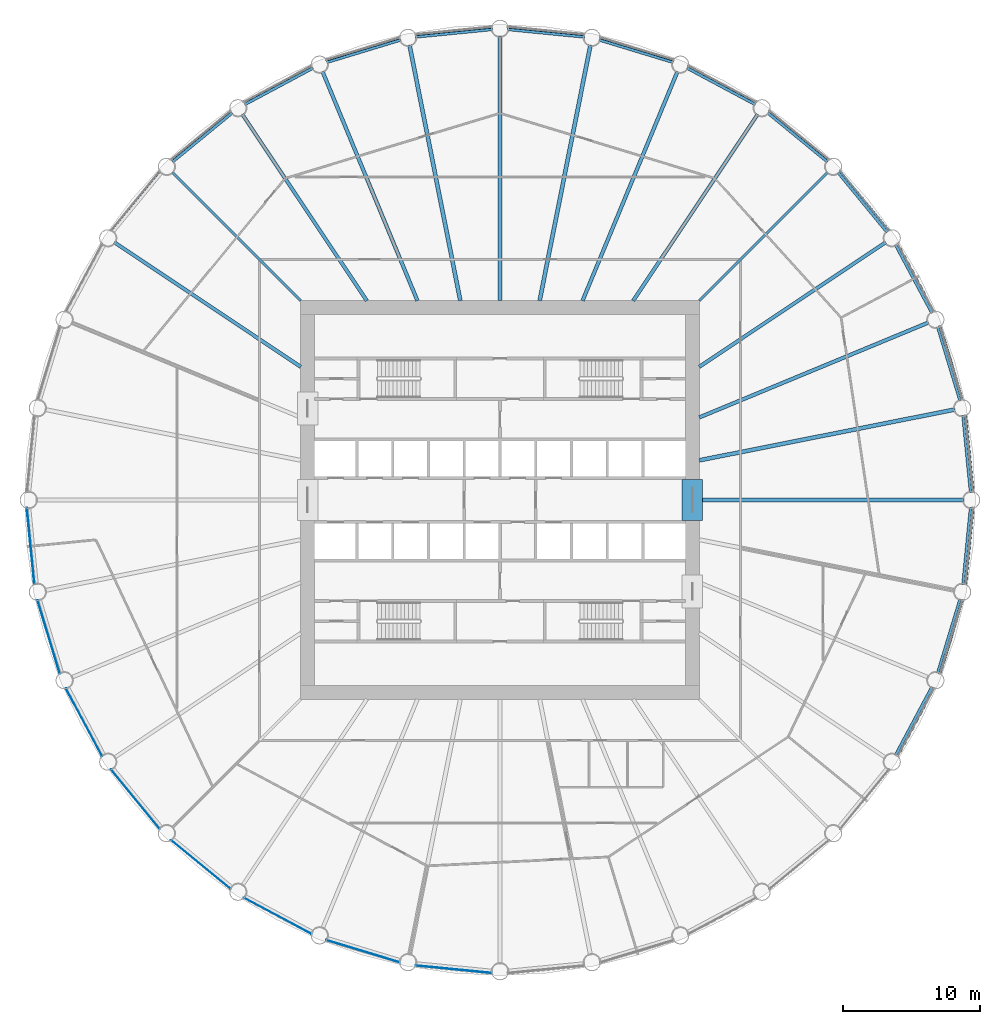
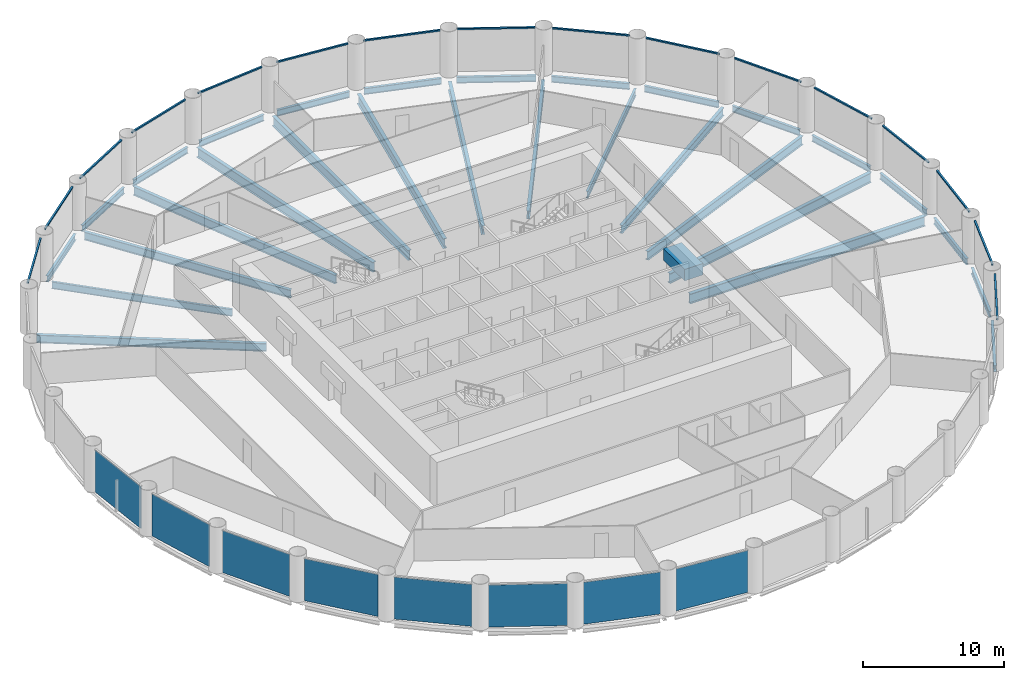
# One storey, part 2 of 8: 30 beams, 16 members, 8 plates, 24 elements without a shape of their own.
"""IFC4 building model written with IfcOpenShell, lengths in metres."""

from ifc_helpers import new_model, si_unit, direction, frame, origin, origin_2d, place, context, subcontext, project, spatial, rectangle, i_section, extrude, material, layer, layer_set, material_profile, profile_set, type_object, element, aggregate, save


model = new_model("IFC4")

# Units and contexts
model_context = context("Model", 3, precision=1e-05, world=origin(), true_north=direction((0.0, 1.0)))
body_context = subcontext(model_context, "Body", "Model", "MODEL_VIEW")
ifc_project = project(units=[si_unit("LENGTHUNIT", "METRE"), si_unit("AREAUNIT", "SQUARE_METRE"), si_unit("VOLUMEUNIT", "CUBIC_METRE"), si_unit("PLANEANGLEUNIT", "RADIAN"), si_unit("MASSUNIT", "GRAM", prefix="KILO")], contexts=[model_context])

# Site, building, storey
site_placement = place(None, origin())
site = spatial("IfcSite", under=ifc_project, at=site_placement, CompositionType="ELEMENT")
building_placement = place(site_placement, origin())
building = spatial("IfcBuilding", under=site, at=building_placement, Name="Corvane Civic Tower", CompositionType="ELEMENT")
storey_placement = place(building_placement, frame((0.0, 0.0, 94.5)))
storey = spatial("IfcBuildingStorey", under=building, at=storey_placement, Name="L21", CompositionType="ELEMENT", Elevation=94.5)

# Beams
ifc_material_1 = material(Name="Concrete C70/85", Category="concrete")
ifc_material_profile_1 = material_profile(ifc_material_1, rectangle(XDim=1.5, YDim=1.0, at=origin_2d()), Name="COUPLING BEAM 1500X1000")
ifc_profile_set_1 = profile_set([ifc_material_profile_1], Name="Concrete C70/85")
beam_type_1 = type_object("IfcBeamType", Name="COUPLING BEAM COUPLING BEAM 1500X1000", PredefinedType="BEAM", material=ifc_profile_set_1)
beam_1_placement = place(storey_placement, frame((14.0, -1.5, 2.60009765625), z_axis=(0.0, 1.0, 0.0), x_axis=(-1.0, 0.0, 0.0)))
element("IfcBeam", 1, at=beam_1_placement, inside=storey, type_object=beam_type_1, Name="BM-L21-cpl-CW-LE", PredefinedType="BEAM", context=body_context, shape_type="SweptSolid", body=[
    extrude(rectangle(XDim=1.5, YDim=1.0, at=origin_2d()), origin(), (0.0, 0.0, 1.0), 3.0),
])
ifc_material_2 = material(Name="Steel ASTM A992 Gr 50", Category="steel")
ifc_material_profile_2 = material_profile(ifc_material_2, i_section(OverallWidth=0.209228515625, OverallDepth=0.533447265625, WebThickness=0.01025390625, FlangeThickness=0.015625, at=origin_2d()), Name="W21X62")
ifc_profile_set_2 = profile_set([ifc_material_profile_2], Name="Steel ASTM A992 Gr 50")
beam_type_2 = type_object("IfcBeamType", Name="EDGE BEAM W21X62", PredefinedType="BEAM", material=ifc_profile_set_2)
beam_2_placement = place(storey_placement, frame((0.54736328125, 34.24609375, -0.566650390625), z_axis=(0.995184368522, -0.098020776625, 0.0), x_axis=(0.098020776625, 0.995184368522, 0.0)))
element("IfcBeam", 2, at=beam_2_placement, inside=storey, type_object=beam_type_2, Name="BM-L21-E01", PredefinedType="BEAM", context=body_context, shape_type="SweptSolid", body=[
    extrude(i_section(OverallWidth=0.209228515625, OverallDepth=0.533447265625, WebThickness=0.01025390625, FlangeThickness=0.015625, at=origin_2d()), origin(), (0.0, 0.0, 1.0), 5.6240234375),
])
beam_3_placement = place(storey_placement, frame((7.218017578125, 33.481201171875, -0.566650390625), z_axis=(0.956936367498, -0.290297758448, 0.0), x_axis=(0.290297758448, 0.956936367498, 0.0)))
element("IfcBeam", 3, at=beam_3_placement, inside=storey, type_object=beam_type_2, Name="BM-L21-E02", PredefinedType="BEAM", context=body_context, shape_type="SweptSolid", body=[
    extrude(i_section(OverallWidth=0.209228515625, OverallDepth=0.533447265625, WebThickness=0.01025390625, FlangeThickness=0.015625, at=origin_2d()), origin(), (0.0, 0.0, 1.0), 5.623779296875),
])
for number, where, z_axis, x_axis, name in (
    (4, (13.611083984375, 31.4296875, -0.566650390625), (0.88192357867, -0.471392407008, 0.0), (0.471392407008, 0.88192357867, 0.0), "BM-L21-E03"),
    (5, (19.481201171875, 28.17041015625, -0.566650390625), (0.773006775372, -0.634397765782, 0.0), (0.634397765782, 0.773006775372, 0.0), "BM-L21-E04"),
    (6, (24.6025390625, 23.82861328125, -0.566650390625), (0.634397765782, -0.773006775372, 0.0), (0.773006775372, 0.634397765782, 0.0), "BM-L21-E05"),
    (7, (28.778564453125, 18.571044921875, -0.566650390625), (0.471392407008, -0.88192357867, 0.0), (0.88192357867, 0.471392407008, 0.0), "BM-L21-E06"),
):
    element("IfcBeam", number, at=place(storey_placement, frame(where, z_axis=z_axis, x_axis=x_axis)), inside=storey, type_object=beam_type_2, Name=name, PredefinedType="BEAM", context=body_context, shape_type="SweptSolid", body=[
        extrude(i_section(OverallWidth=0.209228515625, OverallDepth=0.533447265625, WebThickness=0.01025390625, FlangeThickness=0.015625, at=origin_2d()), origin(), (0.0, 0.0, 1.0), 5.6240234375),
    ])
beam_4_placement = place(storey_placement, frame((31.8486328125, 12.599609375, -0.566650390625), z_axis=(0.290297758448, -0.956936367498, 0.0), x_axis=(0.956936367498, 0.290297758448, 0.0)))
element("IfcBeam", 8, at=beam_4_placement, inside=storey, type_object=beam_type_2, Name="BM-L21-E07", PredefinedType="BEAM", context=body_context, shape_type="SweptSolid", body=[
    extrude(i_section(OverallWidth=0.209228515625, OverallDepth=0.533447265625, WebThickness=0.01025390625, FlangeThickness=0.015625, at=origin_2d()), origin(), (0.0, 0.0, 1.0), 5.623779296875),
])
for number, where, z_axis, x_axis, name in (
    (9, (33.69482421875, 6.144287109375, -0.566650390625), (0.098020776625, -0.995184368522, 0.0), (0.995184368522, 0.098020776625, 0.0), "BM-L21-E08"),
    (10, (34.24609375, -0.54736328125, -0.566650390625), (-0.098020776625, -0.995184368522, 0.0), (0.995184368522, -0.098020776625, 0.0), "BM-L21-E09"),
):
    element("IfcBeam", number, at=place(storey_placement, frame(where, z_axis=z_axis, x_axis=x_axis)), inside=storey, type_object=beam_type_2, Name=name, PredefinedType="BEAM", context=body_context, shape_type="SweptSolid", body=[
        extrude(i_section(OverallWidth=0.209228515625, OverallDepth=0.533447265625, WebThickness=0.01025390625, FlangeThickness=0.015625, at=origin_2d()), origin(), (0.0, 0.0, 1.0), 5.6240234375),
    ])
beam_5_placement = place(storey_placement, frame((33.481201171875, -7.218017578125, -0.566650390625), z_axis=(-0.290297758448, -0.956936367498, 0.0), x_axis=(0.956936367498, -0.290297758448, 0.0)))
element("IfcBeam", 11, at=beam_5_placement, inside=storey, type_object=beam_type_2, Name="BM-L21-E10", PredefinedType="BEAM", context=body_context, shape_type="SweptSolid", body=[
    extrude(i_section(OverallWidth=0.209228515625, OverallDepth=0.533447265625, WebThickness=0.01025390625, FlangeThickness=0.015625, at=origin_2d()), origin(), (0.0, 0.0, 1.0), 5.623779296875),
])
for number, where, z_axis, x_axis, name in (
    (12, (31.4296875, -13.611083984375, -0.566650390625), (-0.471392407008, -0.88192357867, 0.0), (0.88192357867, -0.471392407008, 0.0), "BM-L21-E11"),
    (13, (-23.82861328125, 24.6025390625, -0.566650390625), (0.773006775372, 0.634397765782, 0.0), (-0.634397765782, 0.773006775372, 0.0), "BM-L21-E29"),
    (14, (-18.571044921875, 28.778564453125, -0.566650390625), (0.88192357867, 0.471392407008, 0.0), (-0.471392407008, 0.88192357867, 0.0), "BM-L21-E30"),
):
    element("IfcBeam", number, at=place(storey_placement, frame(where, z_axis=z_axis, x_axis=x_axis)), inside=storey, type_object=beam_type_2, Name=name, PredefinedType="BEAM", context=body_context, shape_type="SweptSolid", body=[
        extrude(i_section(OverallWidth=0.209228515625, OverallDepth=0.533447265625, WebThickness=0.01025390625, FlangeThickness=0.015625, at=origin_2d()), origin(), (0.0, 0.0, 1.0), 5.6240234375),
    ])
beam_6_placement = place(storey_placement, frame((-12.599609375, 31.8486328125, -0.566650390625), z_axis=(0.956936367498, 0.290297758448, 0.0), x_axis=(-0.290297758448, 0.956936367498, 0.0)))
element("IfcBeam", 15, at=beam_6_placement, inside=storey, type_object=beam_type_2, Name="BM-L21-E31", PredefinedType="BEAM", context=body_context, shape_type="SweptSolid", body=[
    extrude(i_section(OverallWidth=0.209228515625, OverallDepth=0.533447265625, WebThickness=0.01025390625, FlangeThickness=0.015625, at=origin_2d()), origin(), (0.0, 0.0, 1.0), 5.623779296875),
])
beam_7_placement = place(storey_placement, frame((-6.144287109375, 33.69482421875, -0.566650390625), z_axis=(0.995184368522, 0.098020776625, 0.0), x_axis=(-0.098020776625, 0.995184368522, 0.0)))
element("IfcBeam", 16, at=beam_7_placement, inside=storey, type_object=beam_type_2, Name="BM-L21-E32", PredefinedType="BEAM", context=body_context, shape_type="SweptSolid", body=[
    extrude(i_section(OverallWidth=0.209228515625, OverallDepth=0.533447265625, WebThickness=0.01025390625, FlangeThickness=0.015625, at=origin_2d()), origin(), (0.0, 0.0, 1.0), 5.6240234375),
])
ifc_material_3 = material(Name="Steel ASTM A992 Gr 50", Category="steel")
ifc_material_profile_3 = material_profile(ifc_material_3, i_section(OverallWidth=0.177978515625, OverallDepth=0.599365234375, WebThickness=0.010009765625, FlangeThickness=0.012939453125, at=origin_2d()), Name="W24X55")
ifc_profile_set_3 = profile_set([ifc_material_profile_3], Name="Steel ASTM A992 Gr 50")
beam_type_3 = type_object("IfcBeamType", Name="FLOOR GIRDER W24X55", PredefinedType="BEAM", material=ifc_profile_set_3)
for number, where, z_axis, x_axis, name in (
    (17, (14.5, 14.5, -0.599609375), (0.707106781187, 0.707106781187, 0.0), (-0.707106781187, 0.707106781187, 0.0), "BM-L21-G05"),
    (18, (-14.5, 14.5, -0.599609375), (-0.707106781187, 0.707106781187, 0.0), (-0.707106781187, -0.707106781187, 0.0), "BM-L21-G29"),
):
    element("IfcBeam", number, at=place(storey_placement, frame(where, z_axis=z_axis, x_axis=x_axis)), inside=storey, type_object=beam_type_3, Name=name, PredefinedType="BEAM", context=body_context, shape_type="SweptSolid", body=[
        extrude(i_section(OverallWidth=0.177978515625, OverallDepth=0.599365234375, WebThickness=0.010009765625, FlangeThickness=0.012939453125, at=origin_2d()), origin(), (0.0, 0.0, 1.0), 13.24365234375),
    ])
ifc_material_4 = material(Name="Steel ASTM A992 Gr 50", Category="steel")
ifc_material_profile_4 = material_profile(ifc_material_4, i_section(OverallWidth=0.256591796875, OverallDepth=0.693359375, WebThickness=0.014404296875, FlangeThickness=0.023681640625, at=origin_2d()), Name="W27X114")
ifc_profile_set_4 = profile_set([ifc_material_profile_4], Name="Steel ASTM A992 Gr 50")
beam_type_4 = type_object("IfcBeamType", Name="FLOOR GIRDER W27X114", PredefinedType="BEAM", material=ifc_profile_set_4)
for number, where, z_axis, x_axis, name in (
    (19, (9.6884765625, 14.5, -0.646728515625), (0.555577235054, 0.83146493365, 0.0), (-0.83146493365, 0.555577235054, 0.0), "BM-L21-G04"),
    (20, (14.5, 9.6884765625, -0.646728515625), (0.83146493365, 0.555577235054, 0.0), (-0.555577235054, 0.83146493365, 0.0), "BM-L21-G06"),
    (21, (-14.5, 9.6884765625, -0.646728515625), (-0.83146493365, 0.555577235054, 0.0), (-0.555577235054, -0.83146493365, 0.0), "BM-L21-G28"),
    (22, (-9.6884765625, 14.5, -0.646728515625), (-0.555577235054, 0.83146493365, 0.0), (-0.83146493365, -0.555577235054, 0.0), "BM-L21-G30"),
):
    element("IfcBeam", number, at=place(storey_placement, frame(where, z_axis=z_axis, x_axis=x_axis)), inside=storey, type_object=beam_type_4, Name=name, PredefinedType="BEAM", context=body_context, shape_type="SweptSolid", body=[
        extrude(i_section(OverallWidth=0.256591796875, OverallDepth=0.693359375, WebThickness=0.014404296875, FlangeThickness=0.023681640625, at=origin_2d()), origin(), (0.0, 0.0, 1.0), 16.31103515625),
    ])
ifc_material_5 = material(Name="Steel ASTM A992 Gr 50", Category="steel")
ifc_material_profile_5 = material_profile(ifc_material_5, i_section(OverallWidth=0.2666015625, OverallDepth=0.7568359375, WebThickness=0.013916015625, FlangeThickness=0.019287109375, at=origin_2d()), Name="W30X108")
ifc_profile_set_5 = profile_set([ifc_material_profile_5], Name="Steel ASTM A992 Gr 50")
beam_type_5 = type_object("IfcBeamType", Name="FLOOR GIRDER W30X108", PredefinedType="BEAM", material=ifc_profile_set_5)
for number, where, z_axis, x_axis, name in (
    (23, (6.006103515625, 14.5, -0.678466796875), (0.382681797504, 0.923880209691, 0.0), (-0.923880209691, 0.382681797504, 0.0), "BM-L21-G03"),
    (24, (14.5, 6.006103515625, -0.678466796875), (0.923880209691, 0.382681797504, 0.0), (-0.382681797504, 0.923880209691, 0.0), "BM-L21-G07"),
    (25, (-6.006103515625, 14.5, -0.678466796875), (-0.382681797504, 0.923880209691, 0.0), (-0.923880209691, -0.382681797504, 0.0), "BM-L21-G31"),
):
    element("IfcBeam", number, at=place(storey_placement, frame(where, z_axis=z_axis, x_axis=x_axis)), inside=storey, type_object=beam_type_5, Name=name, PredefinedType="BEAM", context=body_context, shape_type="SweptSolid", body=[
        extrude(i_section(OverallWidth=0.2666015625, OverallDepth=0.7568359375, WebThickness=0.013916015625, FlangeThickness=0.019287109375, at=origin_2d()), origin(), (0.0, 0.0, 1.0), 18.05517578125),
    ])
ifc_material_6 = material(Name="Steel ASTM A992 Gr 50", Category="steel")
ifc_material_profile_6 = material_profile(ifc_material_6, i_section(OverallWidth=0.2919921875, OverallDepth=0.8583984375, WebThickness=0.01708984375, FlangeThickness=0.031005859375, at=origin_2d()), Name="W33X169")
ifc_profile_set_6 = profile_set([ifc_material_profile_6], Name="Steel ASTM A992 Gr 50")
beam_type_6 = type_object("IfcBeamType", Name="FLOOR GIRDER W33X169", PredefinedType="BEAM", material=ifc_profile_set_6)
beam_8_placement = place(storey_placement, frame((0.0, 14.5, -0.729248046875), z_axis=(0.0, 1.0, 0.0), x_axis=(-1.0, 0.0, 0.0)))
element("IfcBeam", 26, at=beam_8_placement, inside=storey, type_object=beam_type_6, Name="BM-L21-G01", PredefinedType="BEAM", context=body_context, shape_type="SweptSolid", body=[
    extrude(i_section(OverallWidth=0.2919921875, OverallDepth=0.8583984375, WebThickness=0.01708984375, FlangeThickness=0.031005859375, at=origin_2d()), origin(), (0.0, 0.0, 1.0), 19.25),
])
for number, where, z_axis, x_axis, name in (
    (27, (2.88427734375, 14.5, -0.729248046875), (0.195083745652, 0.9807865885, 0.0), (-0.9807865885, 0.195083745652, 0.0), "BM-L21-G02"),
    (28, (14.5, 2.88427734375, -0.729248046875), (0.9807865885, 0.195083745652, 0.0), (-0.195083745652, 0.9807865885, 0.0), "BM-L21-G08"),
):
    element("IfcBeam", number, at=place(storey_placement, frame(where, z_axis=z_axis, x_axis=x_axis)), inside=storey, type_object=beam_type_6, Name=name, PredefinedType="BEAM", context=body_context, shape_type="SweptSolid", body=[
        extrude(i_section(OverallWidth=0.2919921875, OverallDepth=0.8583984375, WebThickness=0.01708984375, FlangeThickness=0.031005859375, at=origin_2d()), origin(), (0.0, 0.0, 1.0), 18.966064453125),
    ])
beam_9_placement = place(storey_placement, frame((14.5, 0.0, -0.729248046875), z_axis=(1.0, 0.0, 0.0), x_axis=(0.0, 1.0, 0.0)))
element("IfcBeam", 29, at=beam_9_placement, inside=storey, type_object=beam_type_6, Name="BM-L21-G09", PredefinedType="BEAM", context=body_context, shape_type="SweptSolid", body=[
    extrude(i_section(OverallWidth=0.2919921875, OverallDepth=0.8583984375, WebThickness=0.01708984375, FlangeThickness=0.031005859375, at=origin_2d()), origin(), (0.0, 0.0, 1.0), 19.25),
])
beam_10_placement = place(storey_placement, frame((-2.88427734375, 14.5, -0.729248046875), z_axis=(-0.195083745652, 0.9807865885, 0.0), x_axis=(-0.9807865885, -0.195083745652, 0.0)))
element("IfcBeam", 30, at=beam_10_placement, inside=storey, type_object=beam_type_6, Name="BM-L21-G32", PredefinedType="BEAM", context=body_context, shape_type="SweptSolid", body=[
    extrude(i_section(OverallWidth=0.2919921875, OverallDepth=0.8583984375, WebThickness=0.01708984375, FlangeThickness=0.031005859375, at=origin_2d()), origin(), (0.0, 0.0, 1.0), 18.966064453125),
])

# Curtain wall, member
ifc_material_7 = material(Name="Anodised aluminium bronze", Category="aluminium")
curtain_wall_type = type_object("IfcCurtainWallType", Name="TOWER CW-T1 STICK CURTAIN WALL", PredefinedType="NOTDEFINED", material=ifc_material_7)
curtain_wall_1_placement = place(storey_placement, origin())
curtain_wall_1 = element("IfcCurtainWall", 31, at=curtain_wall_1_placement, inside=storey, type_object=curtain_wall_type, Name="Curtain wall CW-T1 L21 bay 01", PredefinedType="NOTDEFINED")
ifc_material_8 = material(Name="Anodised aluminium bronze", Category="aluminium")
ifc_material_profile_7 = material_profile(ifc_material_8, rectangle(XDim=0.139892578125, YDim=0.1201171875, at=origin_2d()), Name="TOWER CW-T1 TRANSOM 140x120")
ifc_profile_set_7 = profile_set([ifc_material_profile_7], Name="Anodised aluminium bronze")
member_type = type_object("IfcMemberType", Name="TOWER CW-T1 TRANSOM 140x120", PredefinedType="USERDEFINED", material=ifc_profile_set_7)
member_1_placement = place(storey_placement, frame((0.58349609375, 34.422607421875, 3.68994140625), z_axis=(0.995179807033, -0.098067077419, 0.0), x_axis=(0.098067077419, 0.995179807033, 0.0)))
member_1 = element("IfcMember", 32, at=member_1_placement, type_object=member_type, Name="Transom CW-T1 L21 01.1", ObjectType="TRANSOM", PredefinedType="USERDEFINED", context=body_context, shape_type="SweptSolid", body=[
    extrude(rectangle(XDim=0.139892578125, YDim=0.1201171875, at=origin_2d()), origin(), (0.0, 0.0, 1.0), 5.58642578125),
])
aggregate(curtain_wall_1, [member_1])

curtain_wall_2_placement = place(storey_placement, origin())
curtain_wall_2 = element("IfcCurtainWall", 33, at=curtain_wall_2_placement, inside=storey, type_object=curtain_wall_type, Name="Curtain wall CW-T1 L21 bay 02", PredefinedType="NOTDEFINED")
member_2_placement = place(storey_placement, frame((7.287841796875, 33.647216796875, 3.68994140625), z_axis=(0.956944977029, -0.290269376509, 0.0), x_axis=(0.290269376509, 0.956944977029, 0.0)))
member_2 = element("IfcMember", 34, at=member_2_placement, type_object=member_type, Name="Transom CW-T1 L21 02.1", ObjectType="TRANSOM", PredefinedType="USERDEFINED", context=body_context, shape_type="SweptSolid", body=[
    extrude(rectangle(XDim=0.139892578125, YDim=0.1201171875, at=origin_2d()), origin(), (0.0, 0.0, 1.0), 5.58642578125),
])
aggregate(curtain_wall_2, [member_2])

curtain_wall_3_placement = place(storey_placement, origin())
curtain_wall_3 = element("IfcCurtainWall", 35, at=curtain_wall_3_placement, inside=storey, type_object=curtain_wall_type, Name="Curtain wall CW-T1 L21 bay 03", PredefinedType="NOTDEFINED")
member_3_placement = place(storey_placement, frame((13.712158203125, 31.5791015625, 3.68994140625), z_axis=(0.881920705407, -0.47139778253, 0.0), x_axis=(0.47139778253, 0.881920705407, 0.0)))
member_3 = element("IfcMember", 36, at=member_3_placement, type_object=member_type, Name="Transom CW-T1 L21 03.1", ObjectType="TRANSOM", PredefinedType="USERDEFINED", context=body_context, shape_type="SweptSolid", body=[
    extrude(rectangle(XDim=0.139892578125, YDim=0.1201171875, at=origin_2d()), origin(), (0.0, 0.0, 1.0), 5.586669921875),
])
aggregate(curtain_wall_3, [member_3])

curtain_wall_4_placement = place(storey_placement, origin())
curtain_wall_4 = element("IfcCurtainWall", 37, at=curtain_wall_4_placement, inside=storey, type_object=curtain_wall_type, Name="Curtain wall CW-T1 L21 bay 04", PredefinedType="NOTDEFINED")
member_4_placement = place(storey_placement, frame((19.609619140625, 28.297119140625, 3.68994140625), z_axis=(0.772996431642, -0.634410369295, 0.0), x_axis=(0.634410369295, 0.772996431642, 0.0)))
member_4 = element("IfcMember", 38, at=member_4_placement, type_object=member_type, Name="Transom CW-T1 L21 04.1", ObjectType="TRANSOM", PredefinedType="USERDEFINED", context=body_context, shape_type="SweptSolid", body=[
    extrude(rectangle(XDim=0.139892578125, YDim=0.1201171875, at=origin_2d()), origin(), (0.0, 0.0, 1.0), 5.586181640625),
])
aggregate(curtain_wall_4, [member_4])

curtain_wall_5_placement = place(storey_placement, origin())
curtain_wall_5 = element("IfcCurtainWall", 39, at=curtain_wall_5_placement, inside=storey, type_object=curtain_wall_type, Name="Curtain wall CW-T1 L21 bay 05", PredefinedType="NOTDEFINED")
member_5_placement = place(storey_placement, frame((24.753173828125, 23.927734375, 3.68994140625), z_axis=(0.634410369295, -0.772996431642, 0.0), x_axis=(0.772996431642, 0.634410369295, 0.0)))
member_5 = element("IfcMember", 40, at=member_5_placement, type_object=member_type, Name="Transom CW-T1 L21 05.1", ObjectType="TRANSOM", PredefinedType="USERDEFINED", context=body_context, shape_type="SweptSolid", body=[
    extrude(rectangle(XDim=0.139892578125, YDim=0.1201171875, at=origin_2d()), origin(), (0.0, 0.0, 1.0), 5.586181640625),
])
aggregate(curtain_wall_5, [member_5])

curtain_wall_6_placement = place(storey_placement, origin())
curtain_wall_6 = element("IfcCurtainWall", 41, at=curtain_wall_6_placement, inside=storey, type_object=curtain_wall_type, Name="Curtain wall CW-T1 L21 bay 06", PredefinedType="NOTDEFINED")
member_6_placement = place(storey_placement, frame((28.945556640625, 18.63916015625, 3.68994140625), z_axis=(0.47139778253, -0.881920705407, 0.0), x_axis=(0.881920705407, 0.47139778253, 0.0)))
member_6 = element("IfcMember", 42, at=member_6_placement, type_object=member_type, Name="Transom CW-T1 L21 06.1", ObjectType="TRANSOM", PredefinedType="USERDEFINED", context=body_context, shape_type="SweptSolid", body=[
    extrude(rectangle(XDim=0.139892578125, YDim=0.1201171875, at=origin_2d()), origin(), (0.0, 0.0, 1.0), 5.586669921875),
])
aggregate(curtain_wall_6, [member_6])

curtain_wall_7_placement = place(storey_placement, origin())
curtain_wall_7 = element("IfcCurtainWall", 43, at=curtain_wall_7_placement, inside=storey, type_object=curtain_wall_type, Name="Curtain wall CW-T1 L21 bay 07", PredefinedType="NOTDEFINED")
member_7_placement = place(storey_placement, frame((32.025634765625, 12.6337890625, 3.68994140625), z_axis=(0.290269376509, -0.956944977029, 0.0), x_axis=(0.956944977029, 0.290269376509, 0.0)))
member_7 = element("IfcMember", 44, at=member_7_placement, type_object=member_type, Name="Transom CW-T1 L21 07.1", ObjectType="TRANSOM", PredefinedType="USERDEFINED", context=body_context, shape_type="SweptSolid", body=[
    extrude(rectangle(XDim=0.139892578125, YDim=0.1201171875, at=origin_2d()), origin(), (0.0, 0.0, 1.0), 5.58642578125),
])
aggregate(curtain_wall_7, [member_7])

curtain_wall_8_placement = place(storey_placement, origin())
curtain_wall_8 = element("IfcCurtainWall", 45, at=curtain_wall_8_placement, inside=storey, type_object=curtain_wall_type, Name="Curtain wall CW-T1 L21 bay 08", PredefinedType="NOTDEFINED")
member_8_placement = place(storey_placement, frame((33.874755859375, 6.14306640625, 3.68994140625), z_axis=(0.098067077419, -0.995179807033, 0.0), x_axis=(0.995179807033, 0.098067077419, 0.0)))
member_8 = element("IfcMember", 46, at=member_8_placement, type_object=member_type, Name="Transom CW-T1 L21 08.1", ObjectType="TRANSOM", PredefinedType="USERDEFINED", context=body_context, shape_type="SweptSolid", body=[
    extrude(rectangle(XDim=0.139892578125, YDim=0.1201171875, at=origin_2d()), origin(), (0.0, 0.0, 1.0), 5.58642578125),
])
aggregate(curtain_wall_8, [member_8])

curtain_wall_9_placement = place(storey_placement, origin())
curtain_wall_9 = element("IfcCurtainWall", 47, at=curtain_wall_9_placement, inside=storey, type_object=curtain_wall_type, Name="Curtain wall CW-T1 L21 bay 09", PredefinedType="NOTDEFINED")
member_9_placement = place(storey_placement, frame((34.422607421875, -0.58349609375, 3.68994140625), z_axis=(-0.098067077419, -0.995179807033, 0.0), x_axis=(0.995179807033, -0.098067077419, 0.0)))
member_9 = element("IfcMember", 48, at=member_9_placement, type_object=member_type, Name="Transom CW-T1 L21 09.1", ObjectType="TRANSOM", PredefinedType="USERDEFINED", context=body_context, shape_type="SweptSolid", body=[
    extrude(rectangle(XDim=0.139892578125, YDim=0.1201171875, at=origin_2d()), origin(), (0.0, 0.0, 1.0), 5.58642578125),
])
aggregate(curtain_wall_9, [member_9])

curtain_wall_10_placement = place(storey_placement, origin())
curtain_wall_10 = element("IfcCurtainWall", 49, at=curtain_wall_10_placement, inside=storey, type_object=curtain_wall_type, Name="Curtain wall CW-T1 L21 bay 10", PredefinedType="NOTDEFINED")
member_10_placement = place(storey_placement, frame((33.647216796875, -7.287841796875, 3.68994140625), z_axis=(-0.290269376509, -0.956944977029, 0.0), x_axis=(0.956944977029, -0.290269376509, 0.0)))
member_10 = element("IfcMember", 50, at=member_10_placement, type_object=member_type, Name="Transom CW-T1 L21 10.1", ObjectType="TRANSOM", PredefinedType="USERDEFINED", context=body_context, shape_type="SweptSolid", body=[
    extrude(rectangle(XDim=0.139892578125, YDim=0.1201171875, at=origin_2d()), origin(), (0.0, 0.0, 1.0), 5.58642578125),
])
aggregate(curtain_wall_10, [member_10])

curtain_wall_11_placement = place(storey_placement, origin())
curtain_wall_11 = element("IfcCurtainWall", 51, at=curtain_wall_11_placement, inside=storey, type_object=curtain_wall_type, Name="Curtain wall CW-T1 L21 bay 11", PredefinedType="NOTDEFINED")
member_11_placement = place(storey_placement, frame((31.5791015625, -13.712158203125, 3.68994140625), z_axis=(-0.47139778253, -0.881920705407, 0.0), x_axis=(0.881920705407, -0.47139778253, 0.0)))
member_11 = element("IfcMember", 52, at=member_11_placement, type_object=member_type, Name="Transom CW-T1 L21 11.1", ObjectType="TRANSOM", PredefinedType="USERDEFINED", context=body_context, shape_type="SweptSolid", body=[
    extrude(rectangle(XDim=0.139892578125, YDim=0.1201171875, at=origin_2d()), origin(), (0.0, 0.0, 1.0), 5.586669921875),
])
aggregate(curtain_wall_11, [member_11])

curtain_wall_12_placement = place(storey_placement, origin())
curtain_wall_12 = element("IfcCurtainWall", 53, at=curtain_wall_12_placement, inside=storey, type_object=curtain_wall_type, Name="Curtain wall CW-T1 L21 bay 28", PredefinedType="NOTDEFINED")
member_12_placement = place(storey_placement, frame((-28.297119140625, 19.609619140625, 3.68994140625), z_axis=(0.634410369295, 0.772996431642, 0.0), x_axis=(-0.772996431642, 0.634410369295, 0.0)))
member_12 = element("IfcMember", 54, at=member_12_placement, type_object=member_type, Name="Transom CW-T1 L21 28.1", ObjectType="TRANSOM", PredefinedType="USERDEFINED", context=body_context, shape_type="SweptSolid", body=[
    extrude(rectangle(XDim=0.139892578125, YDim=0.1201171875, at=origin_2d()), origin(), (0.0, 0.0, 1.0), 5.586181640625),
])
aggregate(curtain_wall_12, [member_12])

curtain_wall_13_placement = place(storey_placement, origin())
curtain_wall_13 = element("IfcCurtainWall", 55, at=curtain_wall_13_placement, inside=storey, type_object=curtain_wall_type, Name="Curtain wall CW-T1 L21 bay 29", PredefinedType="NOTDEFINED")
member_13_placement = place(storey_placement, frame((-23.927734375, 24.753173828125, 3.68994140625), z_axis=(0.772996431642, 0.634410369295, 0.0), x_axis=(-0.634410369295, 0.772996431642, 0.0)))
member_13 = element("IfcMember", 56, at=member_13_placement, type_object=member_type, Name="Transom CW-T1 L21 29.1", ObjectType="TRANSOM", PredefinedType="USERDEFINED", context=body_context, shape_type="SweptSolid", body=[
    extrude(rectangle(XDim=0.139892578125, YDim=0.1201171875, at=origin_2d()), origin(), (0.0, 0.0, 1.0), 5.586181640625),
])
aggregate(curtain_wall_13, [member_13])

curtain_wall_14_placement = place(storey_placement, origin())
curtain_wall_14 = element("IfcCurtainWall", 57, at=curtain_wall_14_placement, inside=storey, type_object=curtain_wall_type, Name="Curtain wall CW-T1 L21 bay 30", PredefinedType="NOTDEFINED")
member_14_placement = place(storey_placement, frame((-18.63916015625, 28.945556640625, 3.68994140625), z_axis=(0.881920705407, 0.47139778253, 0.0), x_axis=(-0.47139778253, 0.881920705407, 0.0)))
member_14 = element("IfcMember", 58, at=member_14_placement, type_object=member_type, Name="Transom CW-T1 L21 30.1", ObjectType="TRANSOM", PredefinedType="USERDEFINED", context=body_context, shape_type="SweptSolid", body=[
    extrude(rectangle(XDim=0.139892578125, YDim=0.1201171875, at=origin_2d()), origin(), (0.0, 0.0, 1.0), 5.586669921875),
])
aggregate(curtain_wall_14, [member_14])

curtain_wall_15_placement = place(storey_placement, origin())
curtain_wall_15 = element("IfcCurtainWall", 59, at=curtain_wall_15_placement, inside=storey, type_object=curtain_wall_type, Name="Curtain wall CW-T1 L21 bay 31", PredefinedType="NOTDEFINED")
member_15_placement = place(storey_placement, frame((-12.6337890625, 32.025634765625, 3.68994140625), z_axis=(0.956944977029, 0.290269376509, 0.0), x_axis=(-0.290269376509, 0.956944977029, 0.0)))
member_15 = element("IfcMember", 60, at=member_15_placement, type_object=member_type, Name="Transom CW-T1 L21 31.1", ObjectType="TRANSOM", PredefinedType="USERDEFINED", context=body_context, shape_type="SweptSolid", body=[
    extrude(rectangle(XDim=0.139892578125, YDim=0.1201171875, at=origin_2d()), origin(), (0.0, 0.0, 1.0), 5.58642578125),
])
aggregate(curtain_wall_15, [member_15])

curtain_wall_16_placement = place(storey_placement, origin())
curtain_wall_16 = element("IfcCurtainWall", 61, at=curtain_wall_16_placement, inside=storey, type_object=curtain_wall_type, Name="Curtain wall CW-T1 L21 bay 32", PredefinedType="NOTDEFINED")
member_16_placement = place(storey_placement, frame((-6.14306640625, 33.874755859375, 3.68994140625), z_axis=(0.995179807033, 0.098067077419, 0.0), x_axis=(-0.098067077419, 0.995179807033, 0.0)))
member_16 = element("IfcMember", 62, at=member_16_placement, type_object=member_type, Name="Transom CW-T1 L21 32.1", ObjectType="TRANSOM", PredefinedType="USERDEFINED", context=body_context, shape_type="SweptSolid", body=[
    extrude(rectangle(XDim=0.139892578125, YDim=0.1201171875, at=origin_2d()), origin(), (0.0, 0.0, 1.0), 5.58642578125),
])
aggregate(curtain_wall_16, [member_16])

# Curtain wall, plate
curtain_wall_17_placement = place(storey_placement, origin())
curtain_wall_17 = element("IfcCurtainWall", 63, at=curtain_wall_17_placement, inside=storey, type_object=curtain_wall_type, Name="Curtain wall CW-T1 L21 bay 17", PredefinedType="NOTDEFINED")
ifc_material_9 = material(Name="Tinted glass", Category="glass")
ifc_layer = layer(ifc_material_9, 0.035888671875)
ifc_layer_set = layer_set([ifc_layer], Name="Tinted glass")
plate_type = type_object("IfcPlateType", Name="TOWER CW-T1 PANEL IGU36", PredefinedType="CURTAIN_PANEL", material=ifc_layer_set)
plate_1_placement = place(storey_placement, frame((-3.36328125, -34.148681640625, 0.0), z_axis=(0.0, 0.0, 1.0), x_axis=(-0.995183788169, 0.098026668644, 0.0)))
plate_1 = element("IfcPlate", 64, at=plate_1_placement, type_object=plate_type, Name="Glass panel CW-T1 L21 17.1", PredefinedType="CURTAIN_PANEL", context=body_context, shape_type="SweptSolid", body=[
    extrude(rectangle(XDim=5.58642578125, YDim=0.035888671875, at=origin_2d()), origin(), (0.0, 0.0, 1.0), 3.6298828125),
])
aggregate(curtain_wall_17, [plate_1])

curtain_wall_18_placement = place(storey_placement, origin())
curtain_wall_18 = element("IfcCurtainWall", 65, at=curtain_wall_18_placement, inside=storey, type_object=curtain_wall_type, Name="Curtain wall CW-T1 L21 bay 18", PredefinedType="NOTDEFINED")
plate_2_placement = place(storey_placement, frame((-9.9609375, -32.83642578125, 0.0), z_axis=(0.0, 0.0, 1.0), x_axis=(-0.956945991488, 0.290266032073, 0.0)))
plate_2 = element("IfcPlate", 66, at=plate_2_placement, type_object=plate_type, Name="Glass panel CW-T1 L21 18.1", PredefinedType="CURTAIN_PANEL", context=body_context, shape_type="SweptSolid", body=[
    extrude(rectangle(XDim=5.58642578125, YDim=0.035888671875, at=origin_2d()), origin(), (0.0, 0.0, 1.0), 3.6298828125),
])
aggregate(curtain_wall_18, [plate_2])

curtain_wall_19_placement = place(storey_placement, origin())
curtain_wall_19 = element("IfcCurtainWall", 67, at=curtain_wall_19_placement, inside=storey, type_object=curtain_wall_type, Name="Curtain wall CW-T1 L21 bay 19", PredefinedType="NOTDEFINED")
plate_3_placement = place(storey_placement, frame((-16.175537109375, -30.26220703125, 0.0), z_axis=(0.0, 0.0, 1.0), x_axis=(-0.881923642976, 0.471392286699, 0.0)))
plate_3 = element("IfcPlate", 68, at=plate_3_placement, type_object=plate_type, Name="Glass panel CW-T1 L21 19.1", PredefinedType="CURTAIN_PANEL", context=body_context, shape_type="SweptSolid", body=[
    extrude(rectangle(XDim=5.586669921875, YDim=0.035888671875, at=origin_2d()), origin(), (0.0, 0.0, 1.0), 3.6298828125),
])
aggregate(curtain_wall_19, [plate_3])

curtain_wall_20_placement = place(storey_placement, origin())
curtain_wall_20 = element("IfcCurtainWall", 69, at=curtain_wall_20_placement, inside=storey, type_object=curtain_wall_type, Name="Curtain wall CW-T1 L21 bay 20", PredefinedType="NOTDEFINED")
plate_4_placement = place(storey_placement, frame((-21.7685546875, -26.525146484375, 0.0), z_axis=(0.0, 0.0, 1.0), x_axis=(-0.773013419843, 0.63438966948, 0.0)))
plate_4 = element("IfcPlate", 70, at=plate_4_placement, type_object=plate_type, Name="Glass panel CW-T1 L21 20.1", PredefinedType="CURTAIN_PANEL", context=body_context, shape_type="SweptSolid", body=[
    extrude(rectangle(XDim=5.58642578125, YDim=0.035888671875, at=origin_2d()), origin(), (0.0, 0.0, 1.0), 3.6298828125),
])
aggregate(curtain_wall_20, [plate_4])

curtain_wall_21_placement = place(storey_placement, origin())
curtain_wall_21 = element("IfcCurtainWall", 71, at=curtain_wall_21_placement, inside=storey, type_object=curtain_wall_type, Name="Curtain wall CW-T1 L21 bay 21", PredefinedType="NOTDEFINED")
plate_5_placement = place(storey_placement, frame((-26.525146484375, -21.7685546875, 0.0), z_axis=(0.0, 0.0, 1.0), x_axis=(-0.63438966948, 0.773013419843, 0.0)))
plate_5 = element("IfcPlate", 72, at=plate_5_placement, type_object=plate_type, Name="Glass panel CW-T1 L21 21.1", PredefinedType="CURTAIN_PANEL", context=body_context, shape_type="SweptSolid", body=[
    extrude(rectangle(XDim=5.58642578125, YDim=0.035888671875, at=origin_2d()), origin(), (0.0, 0.0, 1.0), 3.6298828125),
])
aggregate(curtain_wall_21, [plate_5])

curtain_wall_22_placement = place(storey_placement, origin())
curtain_wall_22 = element("IfcCurtainWall", 73, at=curtain_wall_22_placement, inside=storey, type_object=curtain_wall_type, Name="Curtain wall CW-T1 L21 bay 22", PredefinedType="NOTDEFINED")
plate_6_placement = place(storey_placement, frame((-30.26220703125, -16.175537109375, 0.0), z_axis=(0.0, 0.0, 1.0), x_axis=(-0.471392286699, 0.881923642976, 0.0)))
plate_6 = element("IfcPlate", 74, at=plate_6_placement, type_object=plate_type, Name="Glass panel CW-T1 L21 22.1", PredefinedType="CURTAIN_PANEL", context=body_context, shape_type="SweptSolid", body=[
    extrude(rectangle(XDim=5.586669921875, YDim=0.035888671875, at=origin_2d()), origin(), (0.0, 0.0, 1.0), 3.6298828125),
])
aggregate(curtain_wall_22, [plate_6])

curtain_wall_23_placement = place(storey_placement, origin())
curtain_wall_23 = element("IfcCurtainWall", 75, at=curtain_wall_23_placement, inside=storey, type_object=curtain_wall_type, Name="Curtain wall CW-T1 L21 bay 23", PredefinedType="NOTDEFINED")
plate_7_placement = place(storey_placement, frame((-32.83642578125, -9.9609375, 0.0), z_axis=(0.0, 0.0, 1.0), x_axis=(-0.290266032073, 0.956945991488, 0.0)))
plate_7 = element("IfcPlate", 76, at=plate_7_placement, type_object=plate_type, Name="Glass panel CW-T1 L21 23.1", PredefinedType="CURTAIN_PANEL", context=body_context, shape_type="SweptSolid", body=[
    extrude(rectangle(XDim=5.58642578125, YDim=0.035888671875, at=origin_2d()), origin(), (0.0, 0.0, 1.0), 3.6298828125),
])
aggregate(curtain_wall_23, [plate_7])

curtain_wall_24_placement = place(storey_placement, origin())
curtain_wall_24 = element("IfcCurtainWall", 77, at=curtain_wall_24_placement, inside=storey, type_object=curtain_wall_type, Name="Curtain wall CW-T1 L21 bay 24", PredefinedType="NOTDEFINED")
plate_8_placement = place(storey_placement, frame((-34.148681640625, -3.36328125, 0.0), z_axis=(0.0, 0.0, 1.0), x_axis=(-0.098026668644, 0.995183788169, 0.0)))
plate_8 = element("IfcPlate", 78, at=plate_8_placement, type_object=plate_type, Name="Glass panel CW-T1 L21 24.1", PredefinedType="CURTAIN_PANEL", context=body_context, shape_type="SweptSolid", body=[
    extrude(rectangle(XDim=5.58642578125, YDim=0.035888671875, at=origin_2d()), origin(), (0.0, 0.0, 1.0), 3.6298828125),
])
aggregate(curtain_wall_24, [plate_8])

save(model, "model.ifc")
